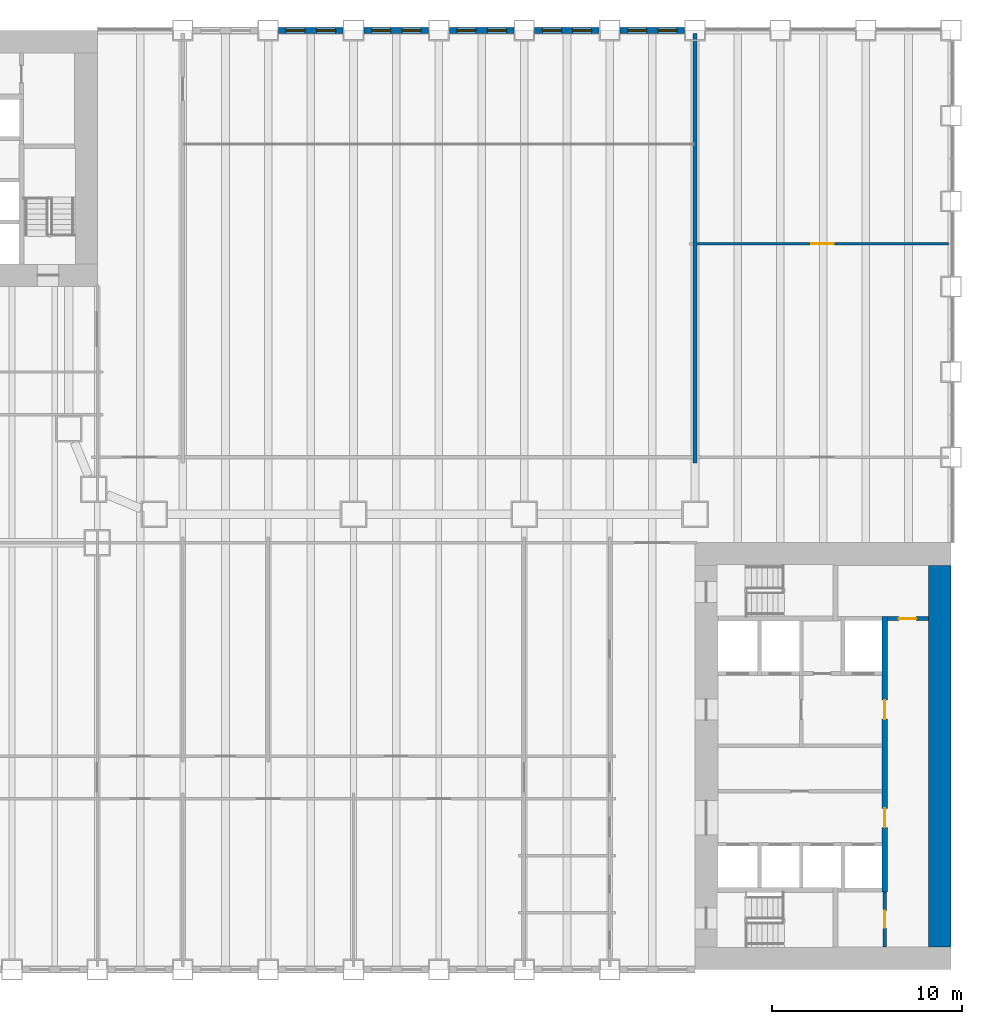
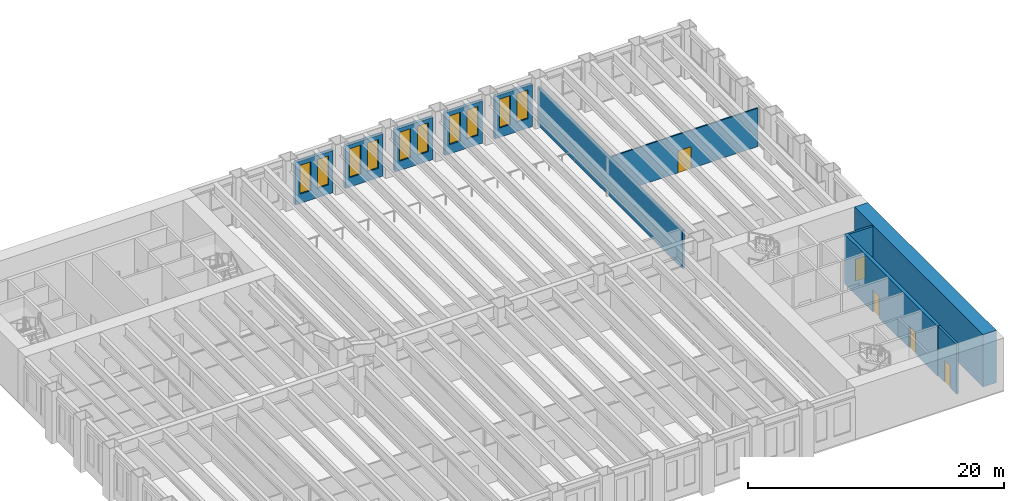
# One storey, part 14 of 19: 11 walls, 10 windows, 5 doors, 15 openings.
"""IFC4 building model written with IfcOpenShell, lengths in metres."""

from ifc_helpers import new_model, si_unit, direction, frame, frame_2d, origin, place, context, subcontext, project, spatial, rectangle, extrude, material, layer, layer_set, type_object, element, fill, save


model = new_model("IFC4")

# Units and contexts
model_context = context("Model", 3, precision=1e-05, world=origin(), true_north=direction((0.0, 1.0)))
body_context = subcontext(model_context, "Body", "Model", "MODEL_VIEW")
ifc_project = project(units=[si_unit("LENGTHUNIT", "METRE"), si_unit("AREAUNIT", "SQUARE_METRE"), si_unit("VOLUMEUNIT", "CUBIC_METRE"), si_unit("PLANEANGLEUNIT", "RADIAN"), si_unit("MASSUNIT", "GRAM", prefix="KILO")], contexts=[model_context])

# Site, building, storey
site_placement = place(None, origin())
site = spatial("IfcSite", under=ifc_project, at=site_placement, CompositionType="ELEMENT")
building_placement = place(site_placement, origin())
building = spatial("IfcBuilding", under=site, at=building_placement, Name="Sennacour Bend Tower", CompositionType="ELEMENT")
storey_placement = place(building_placement, frame((0.0, 0.0, 14.0)))
storey = spatial("IfcBuildingStorey", under=building, at=storey_placement, Name="L02", CompositionType="ELEMENT", Elevation=14.0)

# Wall
ifc_material_1 = material(Name="Concrete C80/95", Category="concrete")
ifc_layer_1 = layer(ifc_material_1, 1.199951171875, Name="Concrete C80/95", Category="concrete")
ifc_layer_set_1 = layer_set([ifc_layer_1], Name="Concrete C80/95")
wall_type_1 = type_object("IfcWallType", Name="Core wall 1200 C80/95", PredefinedType="SHEAR", material=ifc_layer_set_1)
wall_1_placement = place(storey_placement, frame((66.89990234375, 1.199951171875, -0.14990234375), z_axis=(0.0, 0.0, 1.0), x_axis=(0.0, 1.0, 0.0)))
element("IfcWall", 1, at=wall_1_placement, inside=storey, type_object=wall_type_1, Name="Core A wall L02 E", PredefinedType="SHEAR", context=body_context, shape_type="SweptSolid", body=[
    extrude(rectangle(XDim=20.10009765625, YDim=1.199951171875, at=frame_2d((10.050048828125, 0.0))), origin(), (0.0, 0.0, 1.0), 5.0),
])

# Wall, opening, door
ifc_material_2 = material(Name="Plasterboard partition on steel studs", Category="steel")
ifc_layer_2 = layer(ifc_material_2, 0.1201171875, Name="Plasterboard partition on steel studs", Category="steel")
ifc_layer_set_2 = layer_set([ifc_layer_2], Name="Plasterboard partition on steel studs")
wall_type_2 = type_object("IfcWallType", Name="Partition 120", PredefinedType="PARTITIONING", material=ifc_layer_set_2)
wall_2_placement = place(storey_placement, frame((54.10009765625, 38.25, 0.0), z_axis=(0.0, 0.0, 1.0), x_axis=(1.0, 0.0, 0.0)))
wall_2 = element("IfcWall", 2, at=wall_2_placement, inside=storey, type_object=wall_type_2, Name="P-L02-W070ab", PredefinedType="PARTITIONING", context=body_context, shape_type="SweptSolid", body=[
    extrude(rectangle(XDim=13.25, YDim=0.1201171875, at=frame_2d((6.625, 0.0))), origin(), (0.0, 0.0, 1.0), 3.66015625),
])
opening_1_placement = place(wall_2_placement, frame((6.014892578125, 0.0, 0.0)))
opening_1 = element("IfcOpeningElement", 3, at=opening_1_placement, cuts=wall_2, Name="Opening MD", PredefinedType="OPENING", context=body_context, shape_type="SweptSolid", body=[
    extrude(rectangle(XDim=1.199951171875, YDim=2.10009765625, at=frame_2d((0.60009765625, 1.050048828125))), frame((0.0, 0.070068359375, 0.0), z_axis=(0.0, -1.0, 0.0), x_axis=(1.0, 0.0, 0.0)), (0.0, 0.0, 1.0), 0.14013671875),
])
ifc_material_3 = material(Name="Timber", Category="wood")
door_type_1 = type_object("IfcDoorType", Name="DR-MEETING-1200", OperationType="NOTDEFINED", PredefinedType="DOOR", material=ifc_material_3)
door_1_placement = place(opening_1_placement, origin())
door_1 = element("IfcDoor", 4, at=door_1_placement, inside=storey, type_object=door_type_1, Name="Door", OperationType="SINGLE_SWING_LEFT", OverallHeight=2.10009765625, OverallWidth=1.199951171875, PredefinedType="DOOR", context=body_context, shape_type="SweptSolid", body=[
    extrude(rectangle(XDim=1.199951171875, YDim=2.10009765625, at=frame_2d((0.60009765625, 1.050048828125))), frame((0.0, 0.02490234375, 0.0), z_axis=(0.0, -1.0, 0.0), x_axis=(1.0, 0.0, 0.0)), (0.0, 0.0, 1.0), 0.050048828125),
])
fill(opening_1, door_1)

# Wall
ifc_material_4 = material(Name="Fire-rated plasterboard partition on steel studs", Category="steel")
ifc_layer_3 = layer(ifc_material_4, 0.199951171875, Name="Fire-rated plasterboard partition on steel studs", Category="steel")
ifc_layer_set_3 = layer_set([ifc_layer_3], Name="Fire-rated plasterboard partition on steel studs")
wall_type_3 = type_object("IfcWallType", Name="Rated partition 200", PredefinedType="PARTITIONING", material=ifc_layer_set_3)
wall_3_placement = place(storey_placement, frame((54.0, 26.699951171875, 0.0), z_axis=(0.0, 0.0, 1.0), x_axis=(0.0, 1.0, 0.0)))
element("IfcWall", 5, at=wall_3_placement, inside=storey, type_object=wall_type_3, Name="P-L02-W028a", PredefinedType="PARTITIONING", context=body_context, shape_type="SweptSolid", body=[
    extrude(rectangle(XDim=22.650146484375, YDim=0.199951171875, at=frame_2d((11.3251953125, 0.0))), origin(), (0.0, 0.0, 1.0), 3.66015625),
])

# Wall, opening, door
wall_4_placement = place(storey_placement, frame((64.0, 1.199951171875, 0.0), z_axis=(0.0, 0.0, 1.0), x_axis=(0.0, 1.0, 0.0)))
wall_4 = element("IfcWall", 6, at=wall_4_placement, inside=storey, type_object=wall_type_3, Name="P-L02-W038", PredefinedType="PARTITIONING", context=body_context, shape_type="SweptSolid", body=[
    extrude(rectangle(XDim=2.900146484375, YDim=0.199951171875, at=frame_2d((1.4501953125, 0.0))), origin(), (0.0, 0.0, 1.0), 4.75),
])
opening_2_placement = place(wall_4_placement, frame((1.0, 0.0, 0.0)))
opening_2 = element("IfcOpeningElement", 7, at=opening_2_placement, cuts=wall_4, Name="Opening SV", PredefinedType="OPENING", context=body_context, shape_type="SweptSolid", body=[
    extrude(rectangle(XDim=0.89990234375, YDim=2.10009765625, at=frame_2d((0.449951171875, 1.050048828125))), frame((0.0, 0.10986328125, 0.0), z_axis=(0.0, -1.0, 0.0), x_axis=(1.0, 0.0, 0.0)), (0.0, 0.0, 1.0), 0.219970703125),
])
ifc_material_5 = material(Name="Painted steel", Category="steel")
door_type_2 = type_object("IfcDoorType", Name="DR-SERVICE-900", OperationType="NOTDEFINED", PredefinedType="DOOR", material=ifc_material_5)
door_2_placement = place(opening_2_placement, origin())
door_2 = element("IfcDoor", 8, at=door_2_placement, inside=storey, type_object=door_type_2, Name="Door", OperationType="SINGLE_SWING_LEFT", OverallHeight=2.10009765625, OverallWidth=0.89990234375, PredefinedType="DOOR", context=body_context, shape_type="SweptSolid", body=[
    extrude(rectangle(XDim=0.89990234375, YDim=2.10009765625, at=frame_2d((0.449951171875, 1.050048828125))), frame((0.0, 0.02490234375, 0.0), z_axis=(0.0, -1.0, 0.0), x_axis=(1.0, 0.0, 0.0)), (0.0, 0.0, 1.0), 0.050048828125),
])
fill(opening_2, door_2)

wall_5_placement = place(storey_placement, frame((64.14990234375, 18.5, 0.0), z_axis=(0.0, 0.0, 1.0), x_axis=(1.0, 0.0, 0.0)))
wall_5 = element("IfcWall", 9, at=wall_5_placement, inside=storey, type_object=wall_type_3, Name="P-L02-W060", PredefinedType="PARTITIONING", context=body_context, shape_type="SweptSolid", body=[
    extrude(rectangle(XDim=2.150146484375, YDim=0.199951171875, at=frame_2d((1.0751953125, 0.0))), origin(), (0.0, 0.0, 1.0), 4.75),
])
opening_3_placement = place(wall_5_placement, frame((0.60009765625, 0.0, 0.0)))
opening_3 = element("IfcOpeningElement", 10, at=opening_3_placement, cuts=wall_5, Name="Opening SV", PredefinedType="OPENING", context=body_context, shape_type="SweptSolid", body=[
    extrude(rectangle(XDim=0.89990234375, YDim=2.10009765625, at=frame_2d((0.449951171875, 1.050048828125))), frame((0.0, 0.10986328125, 0.0), z_axis=(0.0, -1.0, 0.0), x_axis=(1.0, 0.0, 0.0)), (0.0, 0.0, 1.0), 0.219970703125),
])
door_3_placement = place(opening_3_placement, origin())
door_3 = element("IfcDoor", 11, at=door_3_placement, inside=storey, type_object=door_type_2, Name="Door", OperationType="SINGLE_SWING_LEFT", OverallHeight=2.10009765625, OverallWidth=0.89990234375, PredefinedType="DOOR", context=body_context, shape_type="SweptSolid", body=[
    extrude(rectangle(XDim=0.89990234375, YDim=2.10009765625, at=frame_2d((0.449951171875, 1.050048828125))), frame((0.0, 0.02490234375, 0.0), z_axis=(0.0, -1.0, 0.0), x_axis=(1.0, 0.0, 0.0)), (0.0, 0.0, 1.0), 0.050048828125),
])
fill(opening_3, door_3)

# Wall, openings, windows
ifc_material_6 = material(Name="Warm limestone cladding", Category="masonry")
ifc_layer_4 = layer(ifc_material_6, 0.050048828125, Name="Warm limestone cladding", Category="masonry")
ifc_material_7 = material(Name="Precast concrete C40/50", Category="concrete")
ifc_layer_5 = layer(ifc_material_7, 0.25, Name="Precast concrete C40/50", Category="concrete")
ifc_layer_set_4 = layer_set([ifc_layer_4, ifc_layer_5], Name="Precast concrete C40/50 with limestone cladding")
wall_type_4 = type_object("IfcWallType", Name="STONE-CLAD PRECAST SPANDREL 300", PredefinedType="STANDARD", material=ifc_layer_set_4)
wall_6_placement = place(storey_placement, frame((53.449951171875, 49.5, 0.0), z_axis=(0.0, 0.0, 1.0), x_axis=(-1.0, 0.0, 0.0)))
wall_6 = element("IfcWall", 12, at=wall_6_placement, inside=storey, type_object=wall_type_4, Name="Stone spandrel and pier wall L02 01.03", PredefinedType="STANDARD", context=body_context, shape_type="SweptSolid", body=[
    extrude(rectangle(XDim=3.39990234375, YDim=0.300048828125, at=frame_2d((1.699951171875, 0.0))), origin(), (0.0, 0.0, 1.0), 4.035888671875),
])
opening_4_placement = place(wall_6_placement, frame((0.39990234375, 0.0, 0.89990234375)))
opening_4 = element("IfcOpeningElement", 13, at=opening_4_placement, cuts=wall_6, Name="Opening W3", PredefinedType="OPENING", context=body_context, shape_type="SweptSolid", body=[
    extrude(rectangle(XDim=1.0, YDim=2.75, at=frame_2d((0.5, 1.375))), frame((0.0, 0.16015625, 0.0), z_axis=(0.0, -1.0, 0.0), x_axis=(1.0, 0.0, 0.0)), (0.0, 0.0, 1.0), 0.320068359375),
])
opening_5_placement = place(wall_6_placement, frame((2.0, 0.0, 0.89990234375)))
opening_5 = element("IfcOpeningElement", 14, at=opening_5_placement, cuts=wall_6, Name="Opening W3", PredefinedType="OPENING", context=body_context, shape_type="SweptSolid", body=[
    extrude(rectangle(XDim=1.0, YDim=2.75, at=frame_2d((0.5, 1.375))), frame((0.0, 0.16015625, 0.0), z_axis=(0.0, -1.0, 0.0), x_axis=(1.0, 0.0, 0.0)), (0.0, 0.0, 1.0), 0.320068359375),
])
ifc_material_8 = material(Name="Clear low-emissivity glass", Category="glass")
window_type = type_object("IfcWindowType", Name="WIN-RIBBON-1000x2750", PartitioningType="SINGLE_PANEL", PredefinedType="WINDOW", material=ifc_material_8)
window_1_placement = place(opening_4_placement, origin())
window_1 = element("IfcWindow", 15, at=window_1_placement, inside=storey, type_object=window_type, Name="Ribbon window L02 01.03.0", OverallHeight=2.75, OverallWidth=1.0, PartitioningType="SINGLE_PANEL", PredefinedType="WINDOW", context=body_context, shape_type="SweptSolid", body=[
    extrude(rectangle(XDim=1.0, YDim=2.75, at=frame_2d((0.5, 1.375))), frame((0.0, 0.030029296875, 0.0), z_axis=(0.0, -1.0, 0.0), x_axis=(1.0, 0.0, 0.0)), (0.0, 0.0, 1.0), 0.06005859375),
])
fill(opening_4, window_1)
window_2_placement = place(opening_5_placement, origin())
window_2 = element("IfcWindow", 16, at=window_2_placement, inside=storey, type_object=window_type, Name="Ribbon window L02 01.03.1", OverallHeight=2.75, OverallWidth=1.0, PartitioningType="SINGLE_PANEL", PredefinedType="WINDOW", context=body_context, shape_type="SweptSolid", body=[
    extrude(rectangle(XDim=1.0, YDim=2.75, at=frame_2d((0.5, 1.375))), frame((0.0, 0.030029296875, 0.0), z_axis=(0.0, -1.0, 0.0), x_axis=(1.0, 0.0, 0.0)), (0.0, 0.0, 1.0), 0.06005859375),
])
fill(opening_5, window_2)

wall_7_placement = place(storey_placement, frame((48.949951171875, 49.5, 0.0), z_axis=(0.0, 0.0, 1.0), x_axis=(-1.0, 0.0, 0.0)))
wall_7 = element("IfcWall", 17, at=wall_7_placement, inside=storey, type_object=wall_type_4, Name="Stone spandrel and pier wall L02 01.04", PredefinedType="STANDARD", context=body_context, shape_type="SweptSolid", body=[
    extrude(rectangle(XDim=3.39990234375, YDim=0.300048828125, at=frame_2d((1.699951171875, 0.0))), origin(), (0.0, 0.0, 1.0), 4.035888671875),
])
opening_6_placement = place(wall_7_placement, frame((0.39990234375, 0.0, 0.89990234375)))
opening_6 = element("IfcOpeningElement", 18, at=opening_6_placement, cuts=wall_7, Name="Opening W3", PredefinedType="OPENING", context=body_context, shape_type="SweptSolid", body=[
    extrude(rectangle(XDim=1.0, YDim=2.75, at=frame_2d((0.5, 1.375))), frame((0.0, 0.16015625, 0.0), z_axis=(0.0, -1.0, 0.0), x_axis=(1.0, 0.0, 0.0)), (0.0, 0.0, 1.0), 0.320068359375),
])
opening_7_placement = place(wall_7_placement, frame((2.0, 0.0, 0.89990234375)))
opening_7 = element("IfcOpeningElement", 19, at=opening_7_placement, cuts=wall_7, Name="Opening W3", PredefinedType="OPENING", context=body_context, shape_type="SweptSolid", body=[
    extrude(rectangle(XDim=1.0, YDim=2.75, at=frame_2d((0.5, 1.375))), frame((0.0, 0.16015625, 0.0), z_axis=(0.0, -1.0, 0.0), x_axis=(1.0, 0.0, 0.0)), (0.0, 0.0, 1.0), 0.320068359375),
])
window_3_placement = place(opening_6_placement, origin())
window_3 = element("IfcWindow", 20, at=window_3_placement, inside=storey, type_object=window_type, Name="Ribbon window L02 01.04.0", OverallHeight=2.75, OverallWidth=1.0, PartitioningType="SINGLE_PANEL", PredefinedType="WINDOW", context=body_context, shape_type="SweptSolid", body=[
    extrude(rectangle(XDim=1.0, YDim=2.75, at=frame_2d((0.5, 1.375))), frame((0.0, 0.030029296875, 0.0), z_axis=(0.0, -1.0, 0.0), x_axis=(1.0, 0.0, 0.0)), (0.0, 0.0, 1.0), 0.06005859375),
])
fill(opening_6, window_3)
window_4_placement = place(opening_7_placement, origin())
window_4 = element("IfcWindow", 21, at=window_4_placement, inside=storey, type_object=window_type, Name="Ribbon window L02 01.04.1", OverallHeight=2.75, OverallWidth=1.0, PartitioningType="SINGLE_PANEL", PredefinedType="WINDOW", context=body_context, shape_type="SweptSolid", body=[
    extrude(rectangle(XDim=1.0, YDim=2.75, at=frame_2d((0.5, 1.375))), frame((0.0, 0.030029296875, 0.0), z_axis=(0.0, -1.0, 0.0), x_axis=(1.0, 0.0, 0.0)), (0.0, 0.0, 1.0), 0.06005859375),
])
fill(opening_7, window_4)

wall_8_placement = place(storey_placement, frame((44.449951171875, 49.5, 0.0), z_axis=(0.0, 0.0, 1.0), x_axis=(-1.0, 0.0, 0.0)))
wall_8 = element("IfcWall", 22, at=wall_8_placement, inside=storey, type_object=wall_type_4, Name="Stone spandrel and pier wall L02 01.05", PredefinedType="STANDARD", context=body_context, shape_type="SweptSolid", body=[
    extrude(rectangle(XDim=3.39990234375, YDim=0.300048828125, at=frame_2d((1.699951171875, 0.0))), origin(), (0.0, 0.0, 1.0), 4.035888671875),
])
opening_8_placement = place(wall_8_placement, frame((0.39990234375, 0.0, 0.89990234375)))
opening_8 = element("IfcOpeningElement", 23, at=opening_8_placement, cuts=wall_8, Name="Opening W3", PredefinedType="OPENING", context=body_context, shape_type="SweptSolid", body=[
    extrude(rectangle(XDim=1.0, YDim=2.75, at=frame_2d((0.5, 1.375))), frame((0.0, 0.16015625, 0.0), z_axis=(0.0, -1.0, 0.0), x_axis=(1.0, 0.0, 0.0)), (0.0, 0.0, 1.0), 0.320068359375),
])
opening_9_placement = place(wall_8_placement, frame((2.0, 0.0, 0.89990234375)))
opening_9 = element("IfcOpeningElement", 24, at=opening_9_placement, cuts=wall_8, Name="Opening W3", PredefinedType="OPENING", context=body_context, shape_type="SweptSolid", body=[
    extrude(rectangle(XDim=1.0, YDim=2.75, at=frame_2d((0.5, 1.375))), frame((0.0, 0.16015625, 0.0), z_axis=(0.0, -1.0, 0.0), x_axis=(1.0, 0.0, 0.0)), (0.0, 0.0, 1.0), 0.320068359375),
])
window_5_placement = place(opening_8_placement, origin())
window_5 = element("IfcWindow", 25, at=window_5_placement, inside=storey, type_object=window_type, Name="Ribbon window L02 01.05.0", OverallHeight=2.75, OverallWidth=1.0, PartitioningType="SINGLE_PANEL", PredefinedType="WINDOW", context=body_context, shape_type="SweptSolid", body=[
    extrude(rectangle(XDim=1.0, YDim=2.75, at=frame_2d((0.5, 1.375))), frame((0.0, 0.030029296875, 0.0), z_axis=(0.0, -1.0, 0.0), x_axis=(1.0, 0.0, 0.0)), (0.0, 0.0, 1.0), 0.06005859375),
])
fill(opening_8, window_5)
window_6_placement = place(opening_9_placement, origin())
window_6 = element("IfcWindow", 26, at=window_6_placement, inside=storey, type_object=window_type, Name="Ribbon window L02 01.05.1", OverallHeight=2.75, OverallWidth=1.0, PartitioningType="SINGLE_PANEL", PredefinedType="WINDOW", context=body_context, shape_type="SweptSolid", body=[
    extrude(rectangle(XDim=1.0, YDim=2.75, at=frame_2d((0.5, 1.375))), frame((0.0, 0.030029296875, 0.0), z_axis=(0.0, -1.0, 0.0), x_axis=(1.0, 0.0, 0.0)), (0.0, 0.0, 1.0), 0.06005859375),
])
fill(opening_9, window_6)

wall_9_placement = place(storey_placement, frame((39.949951171875, 49.5, 0.0), z_axis=(0.0, 0.0, 1.0), x_axis=(-1.0, 0.0, 0.0)))
wall_9 = element("IfcWall", 27, at=wall_9_placement, inside=storey, type_object=wall_type_4, Name="Stone spandrel and pier wall L02 01.06", PredefinedType="STANDARD", context=body_context, shape_type="SweptSolid", body=[
    extrude(rectangle(XDim=3.39990234375, YDim=0.300048828125, at=frame_2d((1.699951171875, 0.0))), origin(), (0.0, 0.0, 1.0), 4.035888671875),
])
opening_10_placement = place(wall_9_placement, frame((0.39990234375, 0.0, 0.89990234375)))
opening_10 = element("IfcOpeningElement", 28, at=opening_10_placement, cuts=wall_9, Name="Opening W3", PredefinedType="OPENING", context=body_context, shape_type="SweptSolid", body=[
    extrude(rectangle(XDim=1.0, YDim=2.75, at=frame_2d((0.5, 1.375))), frame((0.0, 0.16015625, 0.0), z_axis=(0.0, -1.0, 0.0), x_axis=(1.0, 0.0, 0.0)), (0.0, 0.0, 1.0), 0.320068359375),
])
opening_11_placement = place(wall_9_placement, frame((2.0, 0.0, 0.89990234375)))
opening_11 = element("IfcOpeningElement", 29, at=opening_11_placement, cuts=wall_9, Name="Opening W3", PredefinedType="OPENING", context=body_context, shape_type="SweptSolid", body=[
    extrude(rectangle(XDim=1.0, YDim=2.75, at=frame_2d((0.5, 1.375))), frame((0.0, 0.16015625, 0.0), z_axis=(0.0, -1.0, 0.0), x_axis=(1.0, 0.0, 0.0)), (0.0, 0.0, 1.0), 0.320068359375),
])
window_7_placement = place(opening_10_placement, origin())
window_7 = element("IfcWindow", 30, at=window_7_placement, inside=storey, type_object=window_type, Name="Ribbon window L02 01.06.0", OverallHeight=2.75, OverallWidth=1.0, PartitioningType="SINGLE_PANEL", PredefinedType="WINDOW", context=body_context, shape_type="SweptSolid", body=[
    extrude(rectangle(XDim=1.0, YDim=2.75, at=frame_2d((0.5, 1.375))), frame((0.0, 0.030029296875, 0.0), z_axis=(0.0, -1.0, 0.0), x_axis=(1.0, 0.0, 0.0)), (0.0, 0.0, 1.0), 0.06005859375),
])
fill(opening_10, window_7)
window_8_placement = place(opening_11_placement, origin())
window_8 = element("IfcWindow", 31, at=window_8_placement, inside=storey, type_object=window_type, Name="Ribbon window L02 01.06.1", OverallHeight=2.75, OverallWidth=1.0, PartitioningType="SINGLE_PANEL", PredefinedType="WINDOW", context=body_context, shape_type="SweptSolid", body=[
    extrude(rectangle(XDim=1.0, YDim=2.75, at=frame_2d((0.5, 1.375))), frame((0.0, 0.030029296875, 0.0), z_axis=(0.0, -1.0, 0.0), x_axis=(1.0, 0.0, 0.0)), (0.0, 0.0, 1.0), 0.06005859375),
])
fill(opening_11, window_8)

wall_10_placement = place(storey_placement, frame((35.449951171875, 49.5, 0.0), z_axis=(0.0, 0.0, 1.0), x_axis=(-1.0, 0.0, 0.0)))
wall_10 = element("IfcWall", 32, at=wall_10_placement, inside=storey, type_object=wall_type_4, Name="Stone spandrel and pier wall L02 01.07", PredefinedType="STANDARD", context=body_context, shape_type="SweptSolid", body=[
    extrude(rectangle(XDim=3.39990234375, YDim=0.300048828125, at=frame_2d((1.699951171875, 0.0))), origin(), (0.0, 0.0, 1.0), 4.035888671875),
])
opening_12_placement = place(wall_10_placement, frame((0.39990234375, 0.0, 0.89990234375)))
opening_12 = element("IfcOpeningElement", 33, at=opening_12_placement, cuts=wall_10, Name="Opening W3", PredefinedType="OPENING", context=body_context, shape_type="SweptSolid", body=[
    extrude(rectangle(XDim=1.0, YDim=2.75, at=frame_2d((0.5, 1.375))), frame((0.0, 0.16015625, 0.0), z_axis=(0.0, -1.0, 0.0), x_axis=(1.0, 0.0, 0.0)), (0.0, 0.0, 1.0), 0.320068359375),
])
opening_13_placement = place(wall_10_placement, frame((2.0, 0.0, 0.89990234375)))
opening_13 = element("IfcOpeningElement", 34, at=opening_13_placement, cuts=wall_10, Name="Opening W3", PredefinedType="OPENING", context=body_context, shape_type="SweptSolid", body=[
    extrude(rectangle(XDim=1.0, YDim=2.75, at=frame_2d((0.5, 1.375))), frame((0.0, 0.16015625, 0.0), z_axis=(0.0, -1.0, 0.0), x_axis=(1.0, 0.0, 0.0)), (0.0, 0.0, 1.0), 0.320068359375),
])
window_9_placement = place(opening_12_placement, origin())
window_9 = element("IfcWindow", 35, at=window_9_placement, inside=storey, type_object=window_type, Name="Ribbon window L02 01.07.0", OverallHeight=2.75, OverallWidth=1.0, PartitioningType="SINGLE_PANEL", PredefinedType="WINDOW", context=body_context, shape_type="SweptSolid", body=[
    extrude(rectangle(XDim=1.0, YDim=2.75, at=frame_2d((0.5, 1.375))), frame((0.0, 0.030029296875, 0.0), z_axis=(0.0, -1.0, 0.0), x_axis=(1.0, 0.0, 0.0)), (0.0, 0.0, 1.0), 0.06005859375),
])
fill(opening_12, window_9)
window_10_placement = place(opening_13_placement, origin())
window_10 = element("IfcWindow", 36, at=window_10_placement, inside=storey, type_object=window_type, Name="Ribbon window L02 01.07.1", OverallHeight=2.75, OverallWidth=1.0, PartitioningType="SINGLE_PANEL", PredefinedType="WINDOW", context=body_context, shape_type="SweptSolid", body=[
    extrude(rectangle(XDim=1.0, YDim=2.75, at=frame_2d((0.5, 1.375))), frame((0.0, 0.030029296875, 0.0), z_axis=(0.0, -1.0, 0.0), x_axis=(1.0, 0.0, 0.0)), (0.0, 0.0, 1.0), 0.06005859375),
])
fill(opening_13, window_10)

# Wall, openings, doors
ifc_material_9 = material(Name="Concrete C60/75", Category="concrete")
ifc_layer_6 = layer(ifc_material_9, 0.300048828125, Name="Concrete C60/75", Category="concrete")
ifc_layer_set_5 = layer_set([ifc_layer_6], Name="Concrete C60/75")
wall_type_5 = type_object("IfcWallType", Name="Spine wall 300", PredefinedType="SHEAR", material=ifc_layer_set_5)
wall_11_placement = place(storey_placement, frame((64.0, 4.10009765625, 0.0), z_axis=(0.0, 0.0, 1.0), x_axis=(0.0, 1.0, 0.0)))
wall_11 = element("IfcWall", 37, at=wall_11_placement, inside=storey, type_object=wall_type_5, Name="P-L02-W039", PredefinedType="SHEAR", context=body_context, shape_type="SweptSolid", body=[
    extrude(rectangle(XDim=14.5, YDim=0.300048828125, at=frame_2d((7.25, 0.0))), origin(), (0.0, 0.0, 1.0), 4.75),
])
opening_14_placement = place(wall_11_placement, frame((3.39990234375, 0.0, 0.0)))
opening_14 = element("IfcOpeningElement", 38, at=opening_14_placement, cuts=wall_11, Name="Opening CD2", PredefinedType="OPENING", context=body_context, shape_type="SweptSolid", body=[
    extrude(rectangle(XDim=1.0, YDim=2.10009765625, at=frame_2d((0.5, 1.050048828125))), frame((0.0, 0.16015625, 0.0), z_axis=(0.0, -1.0, 0.0), x_axis=(1.0, 0.0, 0.0)), (0.0, 0.0, 1.0), 0.320068359375),
])
opening_15_placement = place(wall_11_placement, frame((9.099853515625, 0.0, 0.0)))
opening_15 = element("IfcOpeningElement", 39, at=opening_15_placement, cuts=wall_11, Name="Opening CD2", PredefinedType="OPENING", context=body_context, shape_type="SweptSolid", body=[
    extrude(rectangle(XDim=1.0, YDim=2.10009765625, at=frame_2d((0.5, 1.050048828125))), frame((0.0, 0.16015625, 0.0), z_axis=(0.0, -1.0, 0.0), x_axis=(1.0, 0.0, 0.0)), (0.0, 0.0, 1.0), 0.320068359375),
])
door_type_3 = type_object("IfcDoorType", Name="DR-LOBBY-1000", OperationType="NOTDEFINED", PredefinedType="DOOR", material=ifc_material_5)
door_4_placement = place(opening_14_placement, origin())
door_4 = element("IfcDoor", 40, at=door_4_placement, inside=storey, type_object=door_type_3, Name="Door", OperationType="SINGLE_SWING_LEFT", OverallHeight=2.10009765625, OverallWidth=1.0, PredefinedType="DOOR", context=body_context, shape_type="SweptSolid", body=[
    extrude(rectangle(XDim=1.0, YDim=2.10009765625, at=frame_2d((0.5, 1.050048828125))), frame((0.0, 0.02490234375, 0.0), z_axis=(0.0, -1.0, 0.0), x_axis=(1.0, 0.0, 0.0)), (0.0, 0.0, 1.0), 0.050048828125),
])
fill(opening_14, door_4)
door_5_placement = place(opening_15_placement, origin())
door_5 = element("IfcDoor", 41, at=door_5_placement, inside=storey, type_object=door_type_3, Name="Door", OperationType="SINGLE_SWING_RIGHT", OverallHeight=2.10009765625, OverallWidth=1.0, PredefinedType="DOOR", context=body_context, shape_type="SweptSolid", body=[
    extrude(rectangle(XDim=1.0, YDim=2.10009765625, at=frame_2d((0.5, 1.050048828125))), frame((0.0, 0.02490234375, 0.0), z_axis=(0.0, -1.0, 0.0), x_axis=(1.0, 0.0, 0.0)), (0.0, 0.0, 1.0), 0.050048828125),
])
fill(opening_15, door_5)

save(model, "model.ifc")
